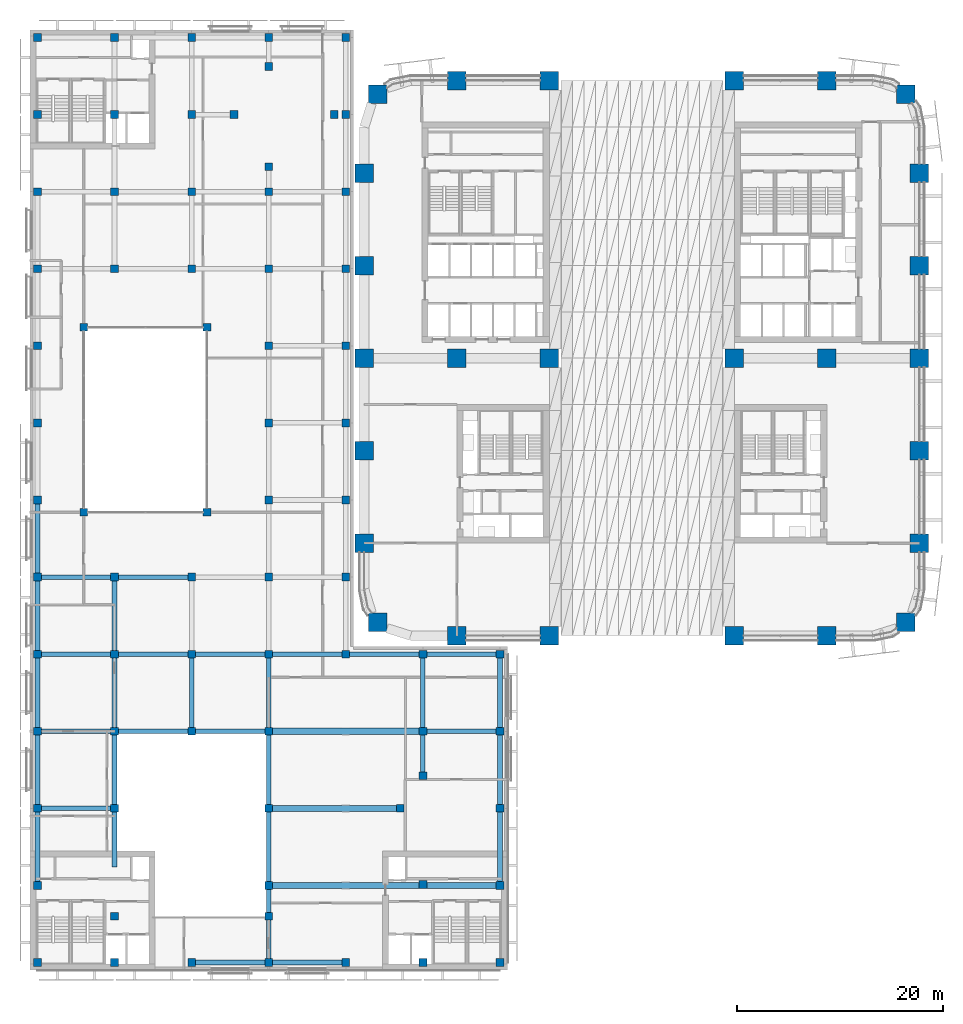
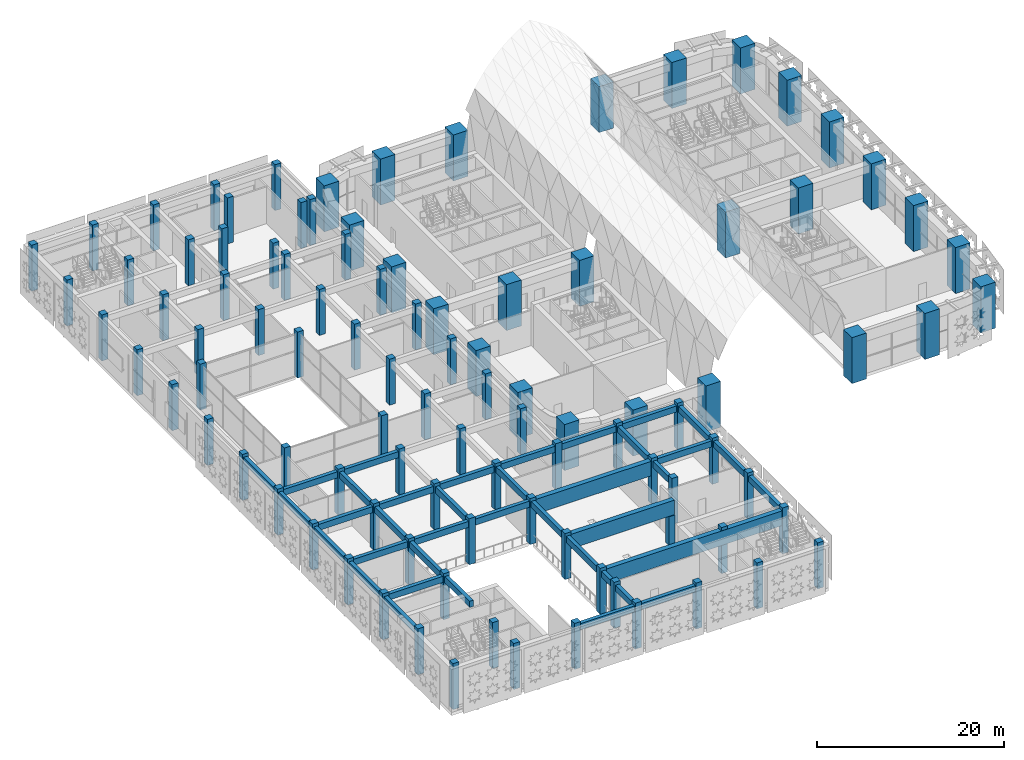
# One storey, part 1 of 46: 99 columns, 38 beams.
"""IFC4 building model written with IfcOpenShell, lengths in metres."""

from ifc_helpers import new_model, si_unit, direction, frame, origin, origin_2d, place, context, subcontext, project, spatial, rectangle, hollow_rectangle, extrude, material, material_profile, profile_set, type_object, element, save


model = new_model("IFC4")

# Units and contexts
model_context = context("Model", 3, precision=1e-05, world=origin(), true_north=direction((0.0, 1.0)))
body_context = subcontext(model_context, "Body", "Model", "MODEL_VIEW")
ifc_project = project(units=[si_unit("LENGTHUNIT", "METRE"), si_unit("AREAUNIT", "SQUARE_METRE"), si_unit("VOLUMEUNIT", "CUBIC_METRE"), si_unit("PLANEANGLEUNIT", "RADIAN"), si_unit("MASSUNIT", "GRAM", prefix="KILO")], contexts=[model_context])

# Site, building, storey
site_placement = place(None, origin())
site = spatial("IfcSite", under=ifc_project, at=site_placement, CompositionType="ELEMENT")
building_placement = place(site_placement, origin())
building = spatial("IfcBuilding", under=site, at=building_placement, Name="Tessera Arch", CompositionType="ELEMENT")
storey_placement = place(building_placement, frame((0.0, 0.0, 8.0)))
storey = spatial("IfcBuildingStorey", under=building, at=storey_placement, Name="L01", CompositionType="ELEMENT", Elevation=8.0)

# Columns
ifc_material_1 = material(Name="Concrete C50/60", Category="concrete")
ifc_material_profile_1 = material_profile(ifc_material_1, rectangle(XDim=0.75, YDim=0.75, at=origin_2d()), Name="Museum column 750 x 750 Concrete C50/60")
ifc_profile_set_1 = profile_set([ifc_material_profile_1], Name="Concrete C50/60")
column_type_1 = type_object("IfcColumnType", Name="Museum column 750 x 750 Concrete C50/60", PredefinedType="COLUMN", material=ifc_profile_set_1)
for number, where, z_axis, x_axis, name in (
    (1, (-31.800048828125, -31.800048828125, 0.0), (0.0, 0.0, 1.0), (1.0, 0.0, 0.0), "Museum column P1Q1 L01"),
    (2, (-31.800048828125, -24.300048828125, 0.0), (0.0, 0.0, 1.0), (1.0, 0.0, 0.0), "Museum column P1Q2 L01"),
    (3, (-31.800048828125, -16.800048828125, 0.0), (0.0, 0.0, 1.0), (1.0, 0.0, 0.0), "Museum column P1Q3 L01"),
    (4, (-31.800048828125, -9.300048828125, 0.0), (0.0, 0.0, 1.0), (1.0, 0.0, 0.0), "Museum column P1Q4 L01"),
    (5, (-31.800048828125, -1.800048828125, 0.0), (0.0, 0.0, 1.0), (1.0, 0.0, 0.0), "Museum column P1Q5 L01"),
    (6, (-31.800048828125, 5.699951171875, 0.0), (0.0, 0.0, 1.0), (1.0, 0.0, 0.0), "Museum column P1Q6 L01"),
    (7, (-31.800048828125, 13.199951171875, 0.0), (0.0, 0.0, 1.0), (1.0, 0.0, 0.0), "Museum column P1Q7 L01"),
    (8, (-31.800048828125, 20.699951171875, 0.0), (0.0, 0.0, 1.0), (1.0, 0.0, 0.0), "Museum column P1Q8 L01"),
    (9, (-31.800048828125, 28.199951171875, 0.0), (0.0, 0.0, 1.0), (1.0, 0.0, 0.0), "Museum column P1Q9 L01"),
    (10, (-31.800048828125, 35.699951171875, 0.0), (0.0, 0.0, 1.0), (1.0, 0.0, 0.0), "Museum column P1Q10 L01"),
    (11, (-31.800048828125, 43.199951171875, 0.0), (0.0, 0.0, 1.0), (1.0, 0.0, 0.0), "Museum column P1Q11 L01"),
    (12, (-31.800048828125, 50.699951171875, 0.0), (0.0, 0.0, 1.0), (1.0, 0.0, 0.0), "Museum column P1Q12 L01"),
    (13, (-31.800048828125, 58.199951171875, 0.0), (0.0, 0.0, 1.0), (1.0, 0.0, 0.0), "Museum column P1Q13 L01"),
    (14, (-24.300048828125, -31.800048828125, 0.0), (0.0, 0.0, 1.0), (1.0, 0.0, 0.0), "Museum column P2Q1 L01"),
    (15, (-24.300048828125, -16.800048828125, 0.0), (0.0, 0.0, 1.0), (1.0, 0.0, 0.0), "Museum column P2Q3 L01"),
    (16, (-24.300048828125, -9.300048828125, 0.0), (0.0, 0.0, 1.0), (1.0, 0.0, 0.0), "Museum column P2Q4 L01"),
    (17, (-24.300048828125, -1.800048828125, 0.0), (0.0, 0.0, 1.0), (1.0, 0.0, 0.0), "Museum column P2Q5 L01"),
    (18, (-24.300048828125, 5.699951171875, 0.0), (0.0, 0.0, 1.0), (1.0, 0.0, 0.0), "Museum column P2Q6 L01"),
    (19, (-24.300048828125, 35.699951171875, 0.0), (0.0, 0.0, 1.0), (1.0, 0.0, 0.0), "Museum column P2Q10 L01"),
    (20, (-24.300048828125, 43.199951171875, 0.0), (0.0, 0.0, 1.0), (1.0, 0.0, 0.0), "Museum column P2Q11 L01"),
    (21, (-24.300048828125, 50.699951171875, 0.0), (0.0, 0.0, 1.0), (1.0, 0.0, 0.0), "Museum column P2Q12 L01"),
    (22, (-24.300048828125, 58.199951171875, 0.0), (0.0, 0.0, 1.0), (1.0, 0.0, 0.0), "Museum column P2Q13 L01"),
    (23, (-16.800048828125, -31.800048828125, 0.0), (0.0, 0.0, 1.0), (1.0, 0.0, 0.0), "Museum column P3Q1 L01"),
    (24, (-16.800048828125, -9.300048828125, 0.0), (0.0, 0.0, 1.0), (1.0, 0.0, 0.0), "Museum column P3Q4 L01"),
    (25, (-16.800048828125, -1.800048828125, 0.0), (0.0, 0.0, 1.0), (1.0, 0.0, 0.0), "Museum column P3Q5 L01"),
    (26, (-16.800048828125, 5.699951171875, 0.0), (0.0, 0.0, 1.0), (1.0, 0.0, 0.0), "Museum column P3Q6 L01"),
    (27, (-16.800048828125, 35.699951171875, 0.0), (0.0, 0.0, 1.0), (1.0, 0.0, 0.0), "Museum column P3Q10 L01"),
    (28, (-16.800048828125, 43.199951171875, 0.0), (0.0, 0.0, 1.0), (1.0, 0.0, 0.0), "Museum column P3Q11 L01"),
    (29, (-16.800048828125, 50.699951171875, 0.0), (0.0, 0.0, 1.0), (1.0, 0.0, 0.0), "Museum column P3Q12 L01"),
    (30, (-16.800048828125, 58.199951171875, 0.0), (0.0, 0.0, 1.0), (1.0, 0.0, 0.0), "Museum column P3Q13 L01"),
    (31, (-9.300048828125, -31.800048828125, 0.0), (0.0, 0.0, 1.0), (1.0, 0.0, 0.0), "Museum column P4Q1 L01"),
    (32, (-9.300048828125, -24.300048828125, 0.0), (0.0, 0.0, 1.0), (1.0, 0.0, 0.0), "Museum column P4Q2 L01"),
    (33, (-9.300048828125, -16.800048828125, 0.0), (0.0, 0.0, 1.0), (1.0, 0.0, 0.0), "Museum column P4Q3 L01"),
    (34, (-9.300048828125, -9.300048828125, 0.0), (0.0, 0.0, 1.0), (1.0, 0.0, 0.0), "Museum column P4Q4 L01"),
    (35, (-9.300048828125, -1.800048828125, 0.0), (0.0, 0.0, 1.0), (1.0, 0.0, 0.0), "Museum column P4Q5 L01"),
    (36, (-9.300048828125, 5.699951171875, 0.0), (0.0, 0.0, 1.0), (1.0, 0.0, 0.0), "Museum column P4Q6 L01"),
    (37, (-9.300048828125, 13.199951171875, 0.0), (0.0, 0.0, 1.0), (1.0, 0.0, 0.0), "Museum column P4Q7 L01"),
    (38, (-9.300048828125, 20.699951171875, 0.0), (0.0, 0.0, 1.0), (1.0, 0.0, 0.0), "Museum column P4Q8 L01"),
    (39, (-9.300048828125, 28.199951171875, 0.0), (0.0, 0.0, 1.0), (1.0, 0.0, 0.0), "Museum column P4Q9 L01"),
    (40, (-9.300048828125, 35.699951171875, 0.0), (0.0, 0.0, 1.0), (1.0, 0.0, 0.0), "Museum column P4Q10 L01"),
    (41, (-9.300048828125, 43.199951171875, 0.0), (0.0, 0.0, 1.0), (1.0, 0.0, 0.0), "Museum column P4Q11 L01"),
    (42, (-9.300048828125, 58.199951171875, 0.0), (0.0, 0.0, 1.0), (1.0, 0.0, 0.0), "Museum column P4Q13 L01"),
    (43, (-1.800048828125, -31.800048828125, 0.0), (0.0, 0.0, 1.0), (1.0, 0.0, 0.0), "Museum column P5Q1 L01"),
    (44, (-1.800048828125, -1.800048828125, 0.0), (0.0, 0.0, 1.0), (1.0, 0.0, 0.0), "Museum column P5Q5 L01"),
    (45, (-1.800048828125, 5.699951171875, 0.0), (0.0, 0.0, 1.0), (1.0, 0.0, 0.0), "Museum column P5Q6 L01"),
    (46, (-1.800048828125, 13.199951171875, 0.0), (0.0, 0.0, 1.0), (1.0, 0.0, 0.0), "Museum column P5Q7 L01"),
    (47, (-1.800048828125, 20.699951171875, 0.0), (0.0, 0.0, 1.0), (1.0, 0.0, 0.0), "Museum column P5Q8 L01"),
    (48, (-1.800048828125, 28.199951171875, 0.0), (0.0, 0.0, 1.0), (1.0, 0.0, 0.0), "Museum column P5Q9 L01"),
    (49, (-1.800048828125, 35.699951171875, 0.0), (0.0, 0.0, 1.0), (1.0, 0.0, 0.0), "Museum column P5Q10 L01"),
    (50, (-1.800048828125, 43.199951171875, 0.0), (0.0, 0.0, 1.0), (1.0, 0.0, 0.0), "Museum column P5Q11 L01"),
    (51, (-1.800048828125, 50.699951171875, 0.0), (0.0, 0.0, 1.0), (1.0, 0.0, 0.0), "Museum column P5Q12 L01"),
    (52, (-1.800048828125, 58.199951171875, 0.0), (0.0, 0.0, 1.0), (1.0, 0.0, 0.0), "Museum column P5Q13 L01"),
    (53, (5.699951171875, -31.800048828125, 0.0), (0.0, 0.0, 1.0), (1.0, 0.0, 0.0), "Museum column P6Q1 L01"),
    (54, (5.699951171875, -24.199951171875, 0.0), (0.0, 0.0, 1.0), (1.0, 0.0, 0.0), "Museum column P6Q2 L01"),
    (55, (5.699951171875, -9.300048828125, 0.0), (0.0, 0.0, 1.0), (1.0, 0.0, 0.0), "Museum column P6Q4 L01"),
    (56, (5.699951171875, -1.800048828125, 0.0), (0.0, 0.0, 1.0), (1.0, 0.0, 0.0), "Museum column P6Q5 L01"),
    (57, (13.199951171875, -31.800048828125, 0.0), (0.0, 0.0, 1.0), (1.0, 0.0, 0.0), "Museum column P7Q1 L01"),
    (58, (13.199951171875, -24.300048828125, 0.0), (0.0, 0.0, 1.0), (1.0, 0.0, 0.0), "Museum column P7Q2 L01"),
    (59, (13.199951171875, -16.800048828125, 0.0), (0.0, 0.0, 1.0), (1.0, 0.0, 0.0), "Museum column P7Q3 L01"),
    (60, (13.199951171875, -9.300048828125, 0.0), (0.0, 0.0, 1.0), (1.0, 0.0, 0.0), "Museum column P7Q4 L01"),
    (61, (13.199951171875, -1.800048828125, 0.0), (0.0, 0.0, 1.0), (1.0, 0.0, 0.0), "Museum column P7Q5 L01"),
    (62, (-27.300048828125, 12.0, 0.0), (0.0, 0.0, 1.0), (1.0, 0.0, 0.0), "Museum column C1 L01"),
    (63, (-15.300048828125, 12.0, 0.0), (0.0, 0.0, 1.0), (1.0, 0.0, 0.0), "Museum column C2 L01"),
    (64, (-15.300048828125, 30.0, 0.0), (0.0, 0.0, 1.0), (1.0, 0.0, 0.0), "Museum column C3 L01"),
    (65, (-27.300048828125, 30.0, 0.0), (0.0, 0.0, 1.0), (1.0, 0.0, 0.0), "Museum column C4 L01"),
    (66, (-24.300048828125, -27.300048828125, 0.0), (0.0, 0.0, 1.0), (1.0, 0.0, 0.0), "Museum column A1 L01"),
    (67, (-9.300048828125, -27.300048828125, 0.0), (0.0, 0.0, 1.0), (1.0, 0.0, 0.0), "Museum column A2 L01"),
    (68, (-12.675048828125, 50.699951171875, 0.0), (0.0, 0.0, 1.0), (1.0, 0.0, 0.0), "Museum column P3Q12TE L01"),
    (69, (-9.300048828125, 45.625, 0.0), (0.0, 0.0, 1.0), (1.0, 0.0, 0.0), "Museum column P4Q11TN L01"),
    (70, (-9.300048828125, 55.375, 0.0), (0.0, 0.0, 1.0), (1.0, 0.0, 0.0), "Museum column P4Q13TS L01"),
    (71, (-2.925048828125, 50.699951171875, 0.0), (0.0, 0.0, 1.0), (1.0, 0.0, 0.0), "Museum column P5Q12TW L01"),
    (72, (5.699951171875, -13.625, 0.0), (0.0, 0.0, 1.0), (1.0, 0.0, 0.0), "Museum column P6Q4TS L01"),
):
    element("IfcColumn", number, at=place(storey_placement, frame(where, z_axis=z_axis, x_axis=x_axis)), inside=storey, type_object=column_type_1, Name=name, PredefinedType="COLUMN", context=body_context, shape_type="SweptSolid", body=[
        extrude(rectangle(XDim=0.75, YDim=0.75, at=origin_2d()), origin(), (0.0, 0.0, 1.0), 6.0),
    ])
column_placement = place(storey_placement, frame((3.489990234375, -16.800048828125, 0.0), z_axis=(0.0, 0.0, 1.0), x_axis=(1.0, 0.0, 0.0)))
element("IfcColumn", 73, at=column_placement, inside=storey, type_object=column_type_1, Name="Museum column G2 L01", PredefinedType="COLUMN", context=body_context, shape_type="SweptSolid", body=[
    extrude(rectangle(XDim=0.75, YDim=0.75, at=origin_2d()), origin(), (0.0, 0.0, 1.0), 3.68994140625),
])
ifc_material_2 = material(Name="Concrete C80/95", Category="concrete")
ifc_material_profile_2 = material_profile(ifc_material_2, rectangle(XDim=1.800048828125, YDim=1.800048828125, at=origin_2d()), Name="RC column 1800 x 1800 Concrete C80/95")
ifc_profile_set_2 = profile_set([ifc_material_profile_2], Name="Concrete C80/95")
column_type_2 = type_object("IfcColumnType", Name="RC column 1800 x 1800 Concrete C80/95", PredefinedType="COLUMN", material=ifc_profile_set_2)
for number, where, z_axis, x_axis, name in (
    (74, (1.318115234375, 1.318115234375, 0.0), (0.0, 0.0, 1.0), (1.0, 0.0, 0.0), "Column C1A L01"),
    (75, (0.0, 9.0, 0.0), (0.0, 0.0, 1.0), (1.0, 0.0, 0.0), "Column C1B L01"),
    (76, (0.0, 18.0, 0.0), (0.0, 0.0, 1.0), (1.0, 0.0, 0.0), "Column C1C L01"),
    (77, (0.0, 27.0, 0.0), (0.0, 0.0, 1.0), (1.0, 0.0, 0.0), "Column C1D L01"),
    (78, (0.0, 36.0, 0.0), (0.0, 0.0, 1.0), (1.0, 0.0, 0.0), "Column C1E L01"),
    (79, (0.0, 45.0, 0.0), (0.0, 0.0, 1.0), (1.0, 0.0, 0.0), "Column C1F L01"),
    (80, (1.318115234375, 52.681884765625, 0.0), (0.0, 0.0, 1.0), (1.0, 0.0, 0.0), "Column C1G L01"),
    (81, (9.0, 0.0, 0.0), (0.0, 0.0, 1.0), (1.0, 0.0, 0.0), "Column C2A L01"),
    (82, (9.0, 27.0, 0.0), (0.0, 0.0, 1.0), (1.0, 0.0, 0.0), "Column C2D L01"),
    (83, (9.0, 54.0, 0.0), (0.0, 0.0, 1.0), (1.0, 0.0, 0.0), "Column C2G L01"),
    (84, (18.0, 0.0, 0.0), (0.0, 0.0, 1.0), (1.0, 0.0, 0.0), "Column C3A L01"),
    (85, (18.0, 27.0, 0.0), (0.0, 0.0, 1.0), (1.0, 0.0, 0.0), "Column C3D L01"),
    (86, (18.0, 54.0, 0.0), (0.0, 0.0, 1.0), (1.0, 0.0, 0.0), "Column C3G L01"),
    (87, (36.0, 0.0, 0.0), (0.0, 0.0, 1.0), (1.0, 0.0, 0.0), "Column C5A L01"),
    (88, (36.0, 27.0, 0.0), (0.0, 0.0, 1.0), (1.0, 0.0, 0.0), "Column C5D L01"),
    (89, (36.0, 54.0, 0.0), (0.0, 0.0, 1.0), (1.0, 0.0, 0.0), "Column C5G L01"),
    (90, (45.0, 0.0, 0.0), (0.0, 0.0, 1.0), (1.0, 0.0, 0.0), "Column C6A L01"),
    (91, (45.0, 27.0, 0.0), (0.0, 0.0, 1.0), (1.0, 0.0, 0.0), "Column C6D L01"),
    (92, (45.0, 54.0, 0.0), (0.0, 0.0, 1.0), (1.0, 0.0, 0.0), "Column C6G L01"),
    (93, (52.681884765625, 1.318115234375, 0.0), (0.0, 0.0, 1.0), (1.0, 0.0, 0.0), "Column C7A L01"),
    (94, (54.0, 9.0, 0.0), (0.0, 0.0, 1.0), (1.0, 0.0, 0.0), "Column C7B L01"),
    (95, (54.0, 18.0, 0.0), (0.0, 0.0, 1.0), (1.0, 0.0, 0.0), "Column C7C L01"),
    (96, (54.0, 27.0, 0.0), (0.0, 0.0, 1.0), (1.0, 0.0, 0.0), "Column C7D L01"),
    (97, (54.0, 36.0, 0.0), (0.0, 0.0, 1.0), (1.0, 0.0, 0.0), "Column C7E L01"),
    (98, (54.0, 45.0, 0.0), (0.0, 0.0, 1.0), (1.0, 0.0, 0.0), "Column C7F L01"),
    (99, (52.681884765625, 52.681884765625, 0.0), (0.0, 0.0, 1.0), (1.0, 0.0, 0.0), "Column C7G L01"),
):
    element("IfcColumn", number, at=place(storey_placement, frame(where, z_axis=z_axis, x_axis=x_axis)), inside=storey, type_object=column_type_2, Name=name, PredefinedType="COLUMN", context=body_context, shape_type="SweptSolid", body=[
        extrude(rectangle(XDim=1.800048828125, YDim=1.800048828125, at=origin_2d()), origin(), (0.0, 0.0, 1.0), 6.0),
    ])

# Beams
ifc_material_3 = material(Name="Concrete C40/50", Category="concrete")
ifc_material_profile_3 = material_profile(ifc_material_3, rectangle(XDim=0.449951171875, YDim=0.800048828125, at=origin_2d()), Name="Museum beam 450 x 800 Concrete C40/50")
ifc_profile_set_3 = profile_set([ifc_material_profile_3], Name="Concrete C40/50")
beam_type_1 = type_object("IfcBeamType", Name="Museum beam 450 x 800 Concrete C40/50", PredefinedType="BEAM", material=ifc_profile_set_3)
for number, where, z_axis, x_axis, name in (
    (100, (-31.800048828125, -23.925048828125, 5.18994140625), (0.0, 1.0, 0.0), (-1.0, 0.0, 0.0), "Museum beam L01 1"),
    (101, (-31.800048828125, -16.425048828125, 5.18994140625), (0.0, 1.0, 0.0), (-1.0, 0.0, 0.0), "Museum beam L01 2"),
    (102, (-31.800048828125, -8.925048828125, 5.18994140625), (0.0, 1.0, 0.0), (-1.0, 0.0, 0.0), "Museum beam L01 3"),
    (103, (-31.800048828125, -1.425048828125, 5.18994140625), (0.0, 1.0, 0.0), (-1.0, 0.0, 0.0), "Museum beam L01 4"),
    (104, (-31.800048828125, 6.074951171875, 5.18994140625), (0.0, 1.0, 0.0), (-1.0, 0.0, 0.0), "Museum beam L01 5"),
    (105, (-24.300048828125, -16.425048828125, 5.18994140625), (0.0, 1.0, 0.0), (-1.0, 0.0, 0.0), "Museum beam L01 10"),
    (106, (-24.300048828125, -8.925048828125, 5.18994140625), (0.0, 1.0, 0.0), (-1.0, 0.0, 0.0), "Museum beam L01 11"),
    (107, (-24.300048828125, -1.425048828125, 5.18994140625), (0.0, 1.0, 0.0), (-1.0, 0.0, 0.0), "Museum beam L01 12"),
    (108, (-16.800048828125, -8.925048828125, 5.18994140625), (0.0, 1.0, 0.0), (-1.0, 0.0, 0.0), "Museum beam L01 16"),
):
    element("IfcBeam", number, at=place(storey_placement, frame(where, z_axis=z_axis, x_axis=x_axis)), inside=storey, type_object=beam_type_1, Name=name, PredefinedType="BEAM", context=body_context, shape_type="SweptSolid", body=[
        extrude(rectangle(XDim=0.449951171875, YDim=0.800048828125, at=origin_2d()), origin(), (0.0, 0.0, 1.0), 6.75),
    ])
beam_1_placement = place(storey_placement, frame((-9.300048828125, -31.425048828125, 5.18994140625), z_axis=(0.0, 1.0, 0.0), x_axis=(-1.0, 0.0, 0.0)))
element("IfcBeam", 109, at=beam_1_placement, inside=storey, type_object=beam_type_1, Name="Museum beam L01 21", PredefinedType="BEAM", context=body_context, shape_type="SweptSolid", body=[
    extrude(rectangle(XDim=0.449951171875, YDim=0.800048828125, at=origin_2d()), origin(), (0.0, 0.0, 1.0), 3.75),
])
beam_2_placement = place(storey_placement, frame((-9.300048828125, -26.925048828125, 5.18994140625), z_axis=(0.0, 1.0, 0.0), x_axis=(-1.0, 0.0, 0.0)))
element("IfcBeam", 110, at=beam_2_placement, inside=storey, type_object=beam_type_1, Name="Museum beam L01 22", PredefinedType="BEAM", context=body_context, shape_type="SweptSolid", body=[
    extrude(rectangle(XDim=0.449951171875, YDim=0.800048828125, at=origin_2d()), origin(), (0.0, 0.0, 1.0), 2.25),
])
for number, where, z_axis, x_axis, name in (
    (111, (-9.300048828125, -23.925048828125, 5.18994140625), (0.0, 1.0, 0.0), (-1.0, 0.0, 0.0), "Museum beam L01 23"),
    (112, (-9.300048828125, -16.425048828125, 5.18994140625), (0.0, 1.0, 0.0), (-1.0, 0.0, 0.0), "Museum beam L01 24"),
    (113, (-9.300048828125, -8.925048828125, 5.18994140625), (0.0, 1.0, 0.0), (-1.0, 0.0, 0.0), "Museum beam L01 25"),
):
    element("IfcBeam", number, at=place(storey_placement, frame(where, z_axis=z_axis, x_axis=x_axis)), inside=storey, type_object=beam_type_1, Name=name, PredefinedType="BEAM", context=body_context, shape_type="SweptSolid", body=[
        extrude(rectangle(XDim=0.449951171875, YDim=0.800048828125, at=origin_2d()), origin(), (0.0, 0.0, 1.0), 6.75),
    ])
beam_3_placement = place(storey_placement, frame((5.699951171875, -13.25, 5.18994140625), z_axis=(0.0, 1.0, 0.0), x_axis=(-1.0, 0.0, 0.0)))
element("IfcBeam", 114, at=beam_3_placement, inside=storey, type_object=beam_type_1, Name="Museum beam L01 42", PredefinedType="BEAM", context=body_context, shape_type="SweptSolid", body=[
    extrude(rectangle(XDim=0.449951171875, YDim=0.800048828125, at=origin_2d()), origin(), (0.0, 0.0, 1.0), 3.574951171875),
])
for number, where, z_axis, x_axis, name in (
    (115, (5.699951171875, -8.925048828125, 5.18994140625), (0.0, 1.0, 0.0), (-1.0, 0.0, 0.0), "Museum beam L01 43"),
    (116, (13.199951171875, -23.925048828125, 5.18994140625), (0.0, 1.0, 0.0), (-1.0, 0.0, 0.0), "Museum beam L01 44"),
    (117, (13.199951171875, -16.425048828125, 5.18994140625), (0.0, 1.0, 0.0), (-1.0, 0.0, 0.0), "Museum beam L01 45"),
    (118, (13.199951171875, -8.925048828125, 5.18994140625), (0.0, 1.0, 0.0), (-1.0, 0.0, 0.0), "Museum beam L01 46"),
    (119, (-16.425048828125, -31.800048828125, 5.18994140625), (1.0, 0.0, 0.0), (0.0, 1.0, 0.0), "Museum beam L01 47"),
    (120, (-8.925048828125, -31.800048828125, 5.18994140625), (1.0, 0.0, 0.0), (0.0, 1.0, 0.0), "Museum beam L01 48"),
    (121, (-31.425048828125, -16.800048828125, 5.18994140625), (1.0, 0.0, 0.0), (0.0, 1.0, 0.0), "Museum beam L01 49"),
    (122, (-31.425048828125, -9.300048828125, 5.18994140625), (1.0, 0.0, 0.0), (0.0, 1.0, 0.0), "Museum beam L01 50"),
    (123, (-23.925048828125, -9.300048828125, 5.18994140625), (1.0, 0.0, 0.0), (0.0, 1.0, 0.0), "Museum beam L01 51"),
    (124, (-16.425048828125, -9.300048828125, 5.18994140625), (1.0, 0.0, 0.0), (0.0, 1.0, 0.0), "Museum beam L01 52"),
    (125, (6.074951171875, -9.300048828125, 5.18994140625), (1.0, 0.0, 0.0), (0.0, 1.0, 0.0), "Museum beam L01 53"),
    (126, (-31.425048828125, -1.800048828125, 5.18994140625), (1.0, 0.0, 0.0), (0.0, 1.0, 0.0), "Museum beam L01 54"),
    (127, (-23.925048828125, -1.800048828125, 5.18994140625), (1.0, 0.0, 0.0), (0.0, 1.0, 0.0), "Museum beam L01 55"),
    (128, (-16.425048828125, -1.800048828125, 5.18994140625), (1.0, 0.0, 0.0), (0.0, 1.0, 0.0), "Museum beam L01 56"),
    (129, (-8.925048828125, -1.800048828125, 5.18994140625), (1.0, 0.0, 0.0), (0.0, 1.0, 0.0), "Museum beam L01 57"),
    (130, (-1.425048828125, -1.800048828125, 5.18994140625), (1.0, 0.0, 0.0), (0.0, 1.0, 0.0), "Museum beam L01 58"),
    (131, (6.074951171875, -1.800048828125, 5.18994140625), (1.0, 0.0, 0.0), (0.0, 1.0, 0.0), "Museum beam L01 59"),
    (132, (-31.425048828125, 5.699951171875, 5.18994140625), (1.0, 0.0, 0.0), (0.0, 1.0, 0.0), "Museum beam L01 60"),
    (133, (-23.925048828125, 5.699951171875, 5.18994140625), (1.0, 0.0, 0.0), (0.0, 1.0, 0.0), "Museum beam L01 61"),
):
    element("IfcBeam", number, at=place(storey_placement, frame(where, z_axis=z_axis, x_axis=x_axis)), inside=storey, type_object=beam_type_1, Name=name, PredefinedType="BEAM", context=body_context, shape_type="SweptSolid", body=[
        extrude(rectangle(XDim=0.449951171875, YDim=0.800048828125, at=origin_2d()), origin(), (0.0, 0.0, 1.0), 6.75),
    ])
beam_4_placement = place(storey_placement, frame((-24.300048828125, -17.175048828125, 5.18994140625), z_axis=(0.0, -1.0, 0.0), x_axis=(1.0, 0.0, 0.0)))
element("IfcBeam", 134, at=beam_4_placement, inside=storey, type_object=beam_type_1, Name="Museum beam L01 80", PredefinedType="BEAM", context=body_context, shape_type="SweptSolid", body=[
    extrude(rectangle(XDim=0.449951171875, YDim=0.800048828125, at=origin_2d()), origin(), (0.0, 0.0, 1.0), 5.324951171875),
])
ifc_material_4 = material(Name="Steel A992 Gr50", Category="steel")
ifc_material_profile_4 = material_profile(ifc_material_4, hollow_rectangle(XDim=0.60009765625, YDim=1.89990234375, WallThickness=0.06005859375, at=origin_2d()), Name="BOX 600x1900x60")
ifc_profile_set_4 = profile_set([ifc_material_profile_4], Name="Steel A992 Gr50")
beam_type_2 = type_object("IfcBeamType", Name="Museum transfer girder BOX 600x1900x60 Steel A992 Gr50", PredefinedType="BEAM", material=ifc_profile_set_4)
beam_5_placement = place(storey_placement, frame((-8.925048828125, -24.300048828125, 4.639892578125), z_axis=(1.0, 0.0, 0.0), x_axis=(0.0, 1.0, 0.0)))
element("IfcBeam", 135, at=beam_5_placement, inside=storey, type_object=beam_type_2, Name="Museum transfer girder 1", PredefinedType="BEAM", context=body_context, shape_type="SweptSolid", body=[
    extrude(hollow_rectangle(XDim=0.60009765625, YDim=1.89990234375, WallThickness=0.06005859375, at=origin_2d()), origin(), (0.0, 0.0, 1.0), 21.75),
])
beam_6_placement = place(storey_placement, frame((-8.925048828125, -16.800048828125, 4.639892578125), z_axis=(1.0, 0.0, 0.0), x_axis=(0.0, 1.0, 0.0)))
element("IfcBeam", 136, at=beam_6_placement, inside=storey, type_object=beam_type_2, Name="Museum transfer girder 2", PredefinedType="BEAM", context=body_context, shape_type="SweptSolid", body=[
    extrude(hollow_rectangle(XDim=0.60009765625, YDim=1.89990234375, WallThickness=0.06005859375, at=origin_2d()), origin(), (0.0, 0.0, 1.0), 12.7900390625),
])
beam_7_placement = place(storey_placement, frame((-8.925048828125, -9.300048828125, 4.639892578125), z_axis=(1.0, 0.0, 0.0), x_axis=(0.0, 1.0, 0.0)))
element("IfcBeam", 137, at=beam_7_placement, inside=storey, type_object=beam_type_2, Name="Museum transfer girder 3", PredefinedType="BEAM", context=body_context, shape_type="SweptSolid", body=[
    extrude(hollow_rectangle(XDim=0.60009765625, YDim=1.89990234375, WallThickness=0.06005859375, at=origin_2d()), origin(), (0.0, 0.0, 1.0), 14.25),
])

save(model, "model.ifc")
